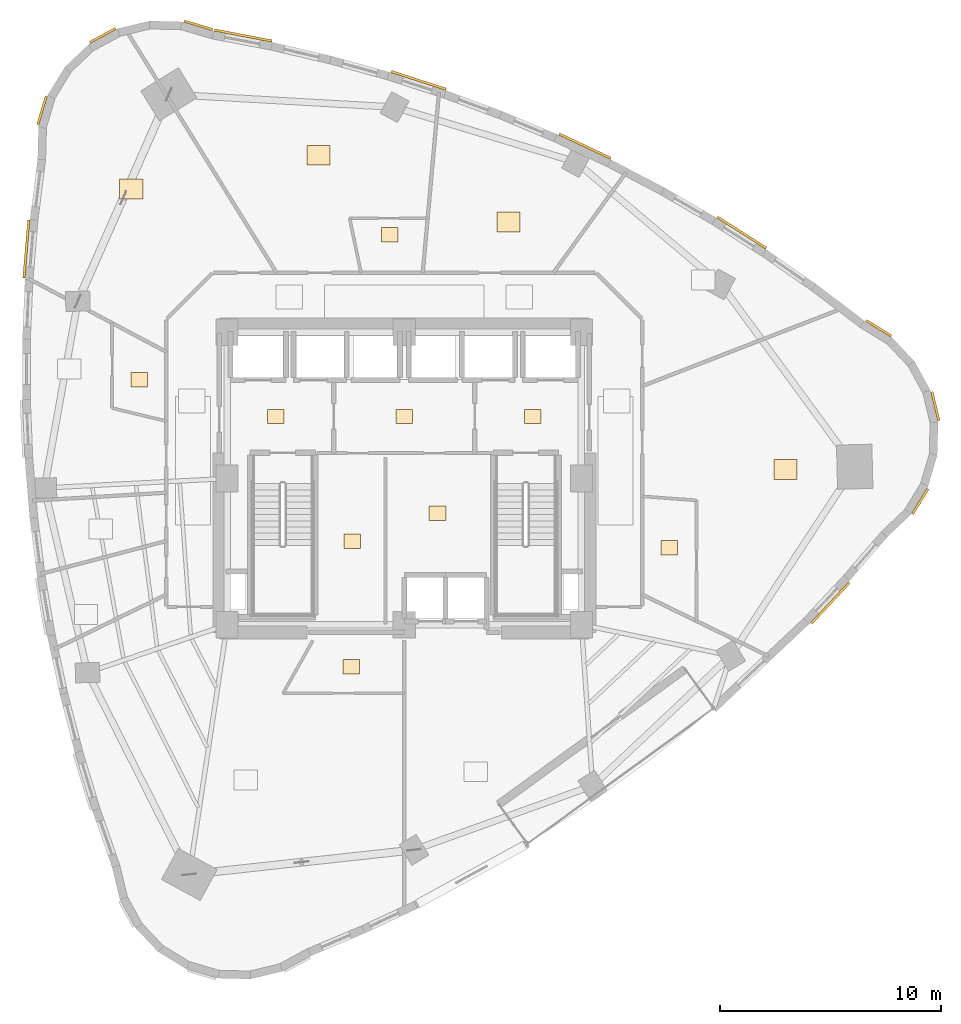
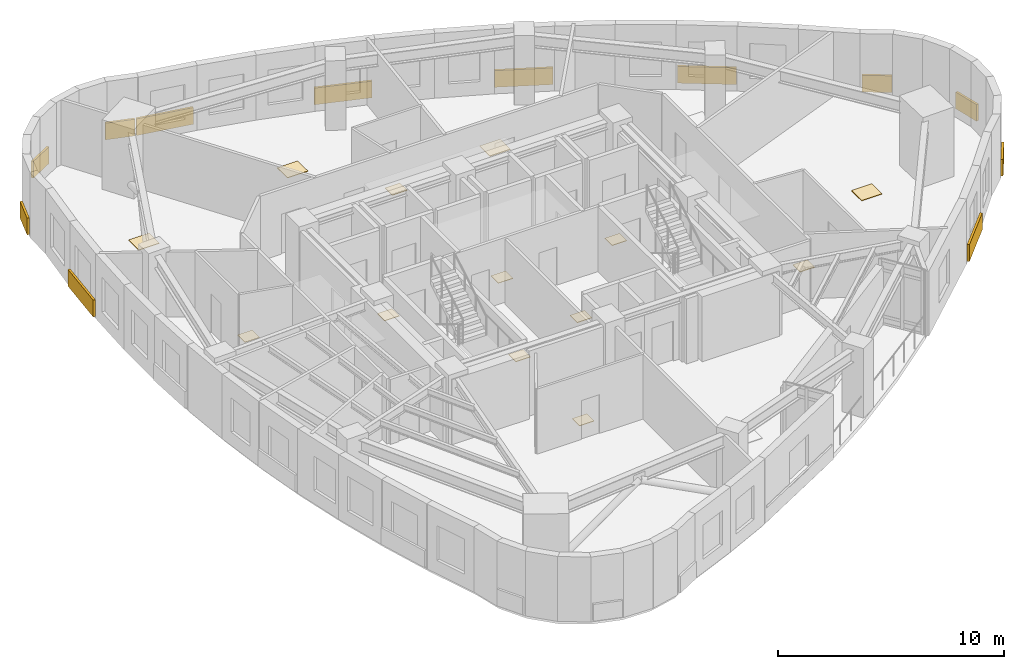
# One storey, part 12 of 12: 25 coverings.
"""IFC4 building model written with IfcOpenShell, lengths in metres."""

import ifcopenshell
import ifcopenshell.guid

model = None  # the IFC model being written
_history = None  # IfcOwnerHistory: only IFC2X3 demands one
_inside = {}  # id of a spatial element -> (the spatial element, [elements in it])
_under = {}  # id of a project, library or spatial element -> (it, [spatial elements below it])
_declared = {}  # id of a project -> (the project, [libraries it declares])
_typed = {}  # id of a type object -> (the type object, [elements of that type])
_made_of = {}  # id of a material, layer set ... -> (it, [elements and type objects made of it])


def new_model(schema):
    """Start an empty IFC model of exactly this schema.

    Asked for "IFC4X3", IfcOpenShell would pick the latest addendum, in which some entities
    have other attributes; the version numbers below select the first issue.
    IFC2X3 requires an IfcOwnerHistory on every rooted entity: one is made here for all.
    """
    global model, _history
    if schema == "IFC4X3":
        model = ifcopenshell.file(schema_version=(4, 3, 0, 0))
    else:
        model = ifcopenshell.file(schema=schema)
    _inside.clear()
    _under.clear()
    _declared.clear()
    _typed.clear()
    _made_of.clear()
    _history = None
    if model.schema == "IFC2X3":
        org = make("IfcOrganization", Name="unknown")
        user = make(
            "IfcPersonAndOrganization",
            ThePerson=make("IfcPerson", FamilyName="unknown"),
            TheOrganization=org,
        )
        app = make(
            "IfcApplication",
            ApplicationDeveloper=org,
            Version="unknown",
            ApplicationFullName="unknown",
            ApplicationIdentifier="unknown",
        )
        _history = make(
            "IfcOwnerHistory",
            OwningUser=user,
            OwningApplication=app,
            ChangeAction="ADDED",
            CreationDate=0,
        )
    return model


def make(cls, **values):
    """One entity of the class cls with the attributes given. An attribute that is None is left unset."""
    return model.create_entity(
        cls, **{name: value for name, value in values.items() if value is not None}
    )


def rooted(cls, **values):
    """An entity with a GlobalId (a new one), such as an element, a storey or a relation."""
    return make(cls, GlobalId=ifcopenshell.guid.new(), OwnerHistory=_history, **values)


def si_unit(unit_type, name, prefix=None):
    """IfcSIUnit, for example si_unit("LENGTHUNIT", "METRE", prefix="MILLI")."""
    return make("IfcSIUnit", UnitType=unit_type, Prefix=prefix, Name=name)


def assignment(units):
    """IfcUnitAssignment: the units of a project."""
    return None if units is None else make("IfcUnitAssignment", Units=units)


def point(xyz):
    """IfcCartesianPoint."""
    return None if xyz is None else make("IfcCartesianPoint", Coordinates=xyz)


def direction(xyz):
    """IfcDirection."""
    return None if xyz is None else make("IfcDirection", DirectionRatios=xyz)


def frame(location, z_axis=None, x_axis=None):
    """IfcAxis2Placement3D, a coordinate frame: its origin and axes. An axis left out is left unset."""
    return make(
        "IfcAxis2Placement3D",
        Location=point(location),
        Axis=direction(z_axis),
        RefDirection=direction(x_axis),
    )


def frame_2d(location, x_axis=None):
    """IfcAxis2Placement2D, a coordinate frame in the plane: its origin and x axis."""
    return make(
        "IfcAxis2Placement2D", Location=point(location), RefDirection=direction(x_axis)
    )


def origin():
    """The frame at (0, 0, 0) with its axes left unset."""
    return frame((0.0, 0.0, 0.0))


def origin_2d():
    """The frame at (0, 0) in the plane with its x axis left unset."""
    return frame_2d((0.0, 0.0))


def place(relative_to, where):
    """IfcLocalPlacement: puts the frame where relative to a parent placement (None: the world)."""
    return make(
        "IfcLocalPlacement", PlacementRelTo=relative_to, RelativePlacement=where
    )


def context(
    kind, dimensions, precision=None, world=None, true_north=None, identifier=None
):
    """IfcGeometricRepresentationContext, for example the 3D "Model" context."""
    return make(
        "IfcGeometricRepresentationContext",
        ContextIdentifier=identifier,
        ContextType=kind,
        CoordinateSpaceDimension=dimensions,
        Precision=precision,
        WorldCoordinateSystem=world,
        TrueNorth=true_north,
    )


def subcontext(parent, identifier, kind, view, scale=None):
    """IfcGeometricRepresentationSubContext, for example "Body" below "Model"."""
    return make(
        "IfcGeometricRepresentationSubContext",
        ContextIdentifier=identifier,
        ContextType=kind,
        ParentContext=parent,
        TargetScale=scale,
        TargetView=view,
    )


def project(units=None, contexts=None):
    """IfcProject with its units and contexts."""
    return rooted(
        "IfcProject",
        Name="project",
        RepresentationContexts=contexts,
        UnitsInContext=assignment(units),
    )


def spatial(cls, under=None, at=None, **own):
    """A site, building, storey or space (cls), placed at a placement, below another one or the project."""
    s = rooted(cls, ObjectPlacement=at, **own)
    if under is not None:
        _under.setdefault(under.id(), (under, []))[1].append(s)
    return s


def profile(cls, at=None, kind="AREA", **sizes):
    """A parametric profile (cls). Its sizes go by their IFC names, for example OverallWidth=200.0."""
    return make(cls, ProfileType=kind, Position=at, **sizes)


def rectangle(**sizes):
    """IfcRectangleProfileDef."""
    return profile("IfcRectangleProfileDef", **sizes)


def extrude(swept, where, along, depth):
    """IfcExtrudedAreaSolid: the profile swept, set in the frame where, extruded along a direction by depth."""
    return make(
        "IfcExtrudedAreaSolid",
        SweptArea=swept,
        Position=where,
        ExtrudedDirection=direction(along),
        Depth=depth,
    )


def shape(context_of_items, identifier, shape_type, items):
    """IfcShapeRepresentation: the items that make up one representation, for example the "Body"."""
    return make(
        "IfcShapeRepresentation",
        ContextOfItems=context_of_items,
        RepresentationIdentifier=identifier,
        RepresentationType=shape_type,
        Items=items,
    )


def material(Name=None, Category=None):
    """IfcMaterial."""
    return make("IfcMaterial", Name=Name, Category=Category)


def layer(
    of_material, thickness, ventilated=None, Name=None, Category=None, Priority=None
):
    """IfcMaterialLayer: one layer of a wall or slab, of a material (None: an air gap)."""
    return make(
        "IfcMaterialLayer",
        Material=of_material,
        LayerThickness=thickness,
        IsVentilated=ventilated,
        Name=Name,
        Category=Category,
        Priority=Priority,
    )


def layer_set(layers, Name=None):
    """IfcMaterialLayerSet."""
    return make("IfcMaterialLayerSet", MaterialLayers=layers, LayerSetName=Name)


def made_of(thing, what):
    """Note that an element or type object is made of a material, layer set ...; save() writes the relation."""
    if what is not None:
        _made_of.setdefault(what.id(), (what, []))[1].append(thing)
    return thing


def type_object(cls, material=None, **own):
    """A type object (cls), such as IfcWallType, which elements share."""
    return made_of(rooted(cls, **own), material)


def element(
    cls,
    number,
    at=None,
    inside=None,
    cuts=None,
    type_object=None,
    material=None,
    context=None,
    identifier="Body",
    shape_type=None,
    held_by="IfcProductDefinitionShape",
    body=None,
    shapes=None,
    **own,
):
    """One element of the class cls, such as IfcWall. Its Tag is "e" and its number.

    at: its placement. inside: the storey or other place that contains it. cuts: it is an
    opening in that element (IfcRelVoidsElement). A single representation is given by context,
    identifier, shape_type and body (its items); several are given by shapes. held_by: the class
    of the entity that holds the representations. save() writes the other relations.
    """
    e = rooted(cls, Tag="e%d" % number, ObjectPlacement=at, **own)
    if body is not None:
        shapes = [shape(context, identifier, shape_type, body)]
    if shapes is not None:
        e.Representation = make(held_by, Representations=shapes)
    if inside is not None:
        _inside.setdefault(inside.id(), (inside, []))[1].append(e)
    if cuts is not None:
        rooted(
            "IfcRelVoidsElement", RelatingBuildingElement=cuts, RelatedOpeningElement=e
        )
    if type_object is not None:
        _typed.setdefault(type_object.id(), (type_object, []))[1].append(e)
    return made_of(e, material)


def aggregate(whole, parts):
    """IfcRelAggregates: a whole, such as a stair, and the parts it consists of."""
    return rooted("IfcRelAggregates", RelatingObject=whole, RelatedObjects=parts)


def save(model, path):
    """Write the relations noted so far, then the file.

    IfcRelAggregates (storeys below a building ...), IfcRelContainedInSpatialStructure (elements
    in a storey), IfcRelDefinesByType, IfcRelAssociatesMaterial and IfcRelDeclares: one each for
    every whole, place, type object, material and project.
    """
    for whole, parts in _under.values():
        aggregate(whole, parts)
    for where, things in _inside.values():
        rooted(
            "IfcRelContainedInSpatialStructure",
            RelatedElements=things,
            RelatingStructure=where,
        )
    for kind, things in _typed.values():
        rooted("IfcRelDefinesByType", RelatedObjects=things, RelatingType=kind)
    for what, things in _made_of.values():
        rooted("IfcRelAssociatesMaterial", RelatedObjects=things, RelatingMaterial=what)
    for by, libraries in _declared.values():
        rooted("IfcRelDeclares", RelatingContext=by, RelatedDefinitions=libraries)
    model.write(path)


model = new_model("IFC4")

# Units and contexts
model_context = context("Model", 3, precision=1e-05, world=origin(), true_north=direction((0.0, 1.0)))
body_context = subcontext(model_context, "Body", "Model", "MODEL_VIEW")
ifc_project = project(units=[si_unit("LENGTHUNIT", "METRE"), si_unit("AREAUNIT", "SQUARE_METRE"), si_unit("VOLUMEUNIT", "CUBIC_METRE"), si_unit("PLANEANGLEUNIT", "RADIAN"), si_unit("MASSUNIT", "GRAM", prefix="KILO")], contexts=[model_context])

# Site, building, storey
site_placement = place(None, origin())
site = spatial("IfcSite", under=ifc_project, at=site_placement, CompositionType="ELEMENT")
building_placement = place(site_placement, origin())
building = spatial("IfcBuilding", under=site, at=building_placement, Name="Ndelora Gate Hotel", CompositionType="ELEMENT")
storey_placement = place(building_placement, frame((0.0, 0.0, 142.25)))
storey = spatial("IfcBuildingStorey", under=building, at=storey_placement, Name="L35", CompositionType="ELEMENT", Elevation=142.25)

# Coverings
ifc_material_1 = material(Name="Terracotta Fired Clay Brick Slip Cladding", Category="masonry")
ifc_layer_1 = layer(ifc_material_1, 0.110107421875)
ifc_layer_set_1 = layer_set([ifc_layer_1], Name="Terracotta Fired Clay Brick Slip Cladding")
covering_type_1 = type_object("IfcCoveringType", Name="COV-CLAD-BRK", PredefinedType="CLADDING", material=ifc_layer_set_1)
for number, where, z_axis, x_axis, name in (
    (1, (-9.29443359375, 20.468017578125, 0.10009765625), (0.0, 0.0, 1.0), (-0.958819734868, 0.284015344704, 0.0), "L35 Rounded-Corner Brick Cladding Band 1"),
    (2, (-13.622802734375, 20.012939453125, 0.10009765625), (0.0, 0.0, 1.0), (0.878817112662, 0.47715876026, 0.0), "L35 Rounded-Corner Brick Cladding Band 4"),
    (3, (-16.36181640625, 16.630615234375, 0.10009765625), (0.0, 0.0, 1.0), (0.284015344704, 0.958819734868, 0.0), "L35 Rounded-Corner Brick Cladding Band 7"),
):
    element("IfcCovering", number, at=place(storey_placement, frame(where, z_axis=z_axis, x_axis=x_axis)), inside=storey, type_object=covering_type_1, Name=name, PredefinedType="CLADDING", context=body_context, shape_type="SweptSolid", body=[
        extrude(rectangle(XDim=1.3359375, YDim=0.110107421875, at=origin_2d()), origin(), (0.0, 0.0, 1.0), 0.89990234375),
    ])
covering_1_placement = place(storey_placement, frame((-17.06982421875, 10.371826171875, 0.10009765625), z_axis=(0.0, 0.0, 1.0), x_axis=(0.084199594279, 0.996448909038, 0.0)))
element("IfcCovering", 4, at=covering_1_placement, inside=storey, type_object=covering_type_1, Name="L35 Rounded-Corner Brick Cladding Band 10", PredefinedType="CLADDING", context=body_context, shape_type="SweptSolid", body=[
    extrude(rectangle(XDim=2.6279296875, YDim=0.110107421875, at=origin_2d()), origin(), (0.0, 0.0, 1.0), 0.89990234375),
])
covering_2_placement = place(storey_placement, frame((19.242431640625, -5.626220703125, 0.10009765625), z_axis=(0.0, 0.0, 1.0), x_axis=(0.682381202461, 0.730996507877, 0.0)))
element("IfcCovering", 5, at=covering_2_placement, inside=storey, type_object=covering_type_1, Name="L35 Rounded-Corner Brick Cladding Band 37", PredefinedType="CLADDING", context=body_context, shape_type="SweptSolid", body=[
    extrude(rectangle(XDim=2.52001953125, YDim=0.110107421875, at=origin_2d()), origin(), (0.0, 0.0, 1.0), 0.89990234375),
])
for number, where, z_axis, x_axis, name in (
    (6, (23.30712890625, -1.031005859375, 0.10009765625), (0.0, 0.0, 1.0), (0.522498564716, 0.852640164354, 0.0), "L35 Rounded-Corner Brick Cladding Band 40"),
    (7, (23.988037109375, 3.267578125, 0.10009765625), (0.0, 0.0, 1.0), (-0.233445363856, 0.972369920398, 0.0), "L35 Rounded-Corner Brick Cladding Band 43"),
    (8, (21.4296875, 6.78857421875, 0.10009765625), (0.0, 0.0, 1.0), (-0.852640164354, 0.522498564716, 0.0), "L35 Rounded-Corner Brick Cladding Band 46"),
):
    element("IfcCovering", number, at=place(storey_placement, frame(where, z_axis=z_axis, x_axis=x_axis)), inside=storey, type_object=covering_type_1, Name=name, PredefinedType="CLADDING", context=body_context, shape_type="SweptSolid", body=[
        extrude(rectangle(XDim=1.3359375, YDim=0.110107421875, at=origin_2d()), origin(), (0.0, 0.0, 1.0), 0.89990234375),
    ])
covering_3_placement = place(storey_placement, frame((15.246826171875, 11.108154296875, 0.10009765625), z_axis=(0.0, 0.0, 1.0), x_axis=(-0.843766346142, 0.536710679153, 0.0)))
element("IfcCovering", 9, at=covering_3_placement, inside=storey, type_object=covering_type_1, Name="L35 Rounded-Corner Brick Cladding Band 49", PredefinedType="CLADDING", context=body_context, shape_type="SweptSolid", body=[
    extrude(rectangle(XDim=2.60791015625, YDim=0.110107421875, at=origin_2d()), origin(), (0.0, 0.0, 1.0), 0.89990234375),
])
covering_4_placement = place(storey_placement, frame((8.156982421875, 15.015380859375, 0.10009765625), z_axis=(0.0, 0.0, 1.0), x_axis=(-0.904678372333, 0.426095109843, 0.0)))
element("IfcCovering", 10, at=covering_4_placement, inside=storey, type_object=covering_type_1, Name="L35 Rounded-Corner Brick Cladding Band 52", PredefinedType="CLADDING", context=body_context, shape_type="SweptSolid", body=[
    extrude(rectangle(XDim=2.580078125, YDim=0.110107421875, at=origin_2d()), origin(), (0.0, 0.0, 1.0), 0.89990234375),
])
covering_5_placement = place(storey_placement, frame((0.6484375, 17.983154296875, 0.10009765625), z_axis=(0.0, 0.0, 1.0), x_axis=(-0.951433341896, 0.30785482931, 0.0)))
element("IfcCovering", 11, at=covering_5_placement, inside=storey, type_object=covering_type_1, Name="L35 Rounded-Corner Brick Cladding Band 55", PredefinedType="CLADDING", context=body_context, shape_type="SweptSolid", body=[
    extrude(rectangle(XDim=2.593994140625, YDim=0.110107421875, at=origin_2d()), origin(), (0.0, 0.0, 1.0), 0.89990234375),
])
covering_6_placement = place(storey_placement, frame((-7.27734375, 20.0107421875, 0.10009765625), z_axis=(0.0, 0.0, 1.0), x_axis=(-0.982156194526, 0.188067034735, 0.0)))
element("IfcCovering", 12, at=covering_6_placement, inside=storey, type_object=covering_type_1, Name="L35 Rounded-Corner Brick Cladding Band 58", PredefinedType="CLADDING", context=body_context, shape_type="SweptSolid", body=[
    extrude(rectangle(XDim=2.65087890625, YDim=0.110107421875, at=origin_2d()), origin(), (0.0, 0.0, 1.0), 0.89990234375),
])
ifc_material_2 = material(Name="Engineered Highland Oak Parquet", Category="wood")
ifc_layer_2 = layer(ifc_material_2, 0.030029296875)
ifc_layer_set_2 = layer_set([ifc_layer_2], Name="Engineered Highland Oak Parquet")
covering_type_2 = type_object("IfcCoveringType", Name="COV-FLR-PARQ", PredefinedType="FLOORING", material=ifc_layer_set_2)
for number, where, z_axis, x_axis, name in (
    (13, (17.219482421875, 0.402587890625, 0.0), (0.0, 0.0, 1.0), (1.0, 0.0, 0.0), "L35 Diplomatic Reception Suite 3802 Oak Parquet Flooring"),
    (14, (4.7119140625, 11.581298828125, 0.0), (0.0, 0.0, 1.0), (1.0, 0.0, 0.0), "L35 Wellness Yoga Studio Oak Parquet Flooring"),
    (15, (-3.87158203125, 14.601806640625, 0.0), (0.0, 0.0, 1.0), (1.0, 0.0, 0.0), "L35 South Horizon Suite 3803 Oak Parquet Flooring"),
    (16, (-12.3349609375, 13.0712890625, 0.0), (0.0, 0.0, 1.0), (1.0, 0.0, 0.0), "L35 Boutique Travel Shop Oak Parquet Flooring"),
):
    element("IfcCovering", number, at=place(storey_placement, frame(where, z_axis=z_axis, x_axis=x_axis)), inside=storey, type_object=covering_type_2, Name=name, PredefinedType="FLOORING", context=body_context, shape_type="SweptSolid", body=[
        extrude(rectangle(XDim=1.050048828125, YDim=0.89990234375, at=origin_2d()), origin(), (0.0, 0.0, 1.0), 0.030029296875),
    ])
ifc_material_3 = material(Name="Non-Slip Porcelain Wet-Room Tile", Category="ceramic")
ifc_layer_3 = layer(ifc_material_3, 0.02490234375)
ifc_layer_set_3 = layer_set([ifc_layer_3], Name="Non-Slip Porcelain Wet-Room Tile")
covering_type_3 = type_object("IfcCoveringType", Name="COV-FLR-TILE", PredefinedType="FLOORING", material=ifc_layer_set_3)
for number, where, z_axis, x_axis, name in (
    (17, (-5.800048828125, 2.800048828125, 0.0), (0.0, 0.0, 1.0), (1.0, 0.0, 0.0), "L35 Firefighting Lift Lobby West Porcelain Tile Flooring"),
    (18, (5.800048828125, 2.800048828125, 0.0), (0.0, 0.0, 1.0), (1.0, 0.0, 0.0), "L35 Firefighting Lift Lobby East Porcelain Tile Flooring"),
    (19, (0.0, 2.800048828125, 0.0), (0.0, 0.0, 1.0), (1.0, 0.0, 0.0), "L35 Central Passenger Lift Lobby Porcelain Tile Flooring"),
    (20, (-2.35009765625, -2.824951171875, 0.0), (0.0, 0.0, 1.0), (1.0, 0.0, 0.0), "L35 Core Electrical Switchroom Porcelain Tile Flooring"),
    (21, (1.5, -1.574951171875, 0.0), (0.0, 0.0, 1.0), (1.0, 0.0, 0.0), "L35 Central Linen Equipment Store Porcelain Tile Flooring"),
    (22, (-2.3984375, -8.510009765625, 0.0), (0.0, 0.0, 1.0), (1.0, 0.0, 0.0), "L35 En-suite Bathroom 3801 Porcelain Tile Flooring"),
    (23, (11.97509765625, -3.121337890625, 0.0), (0.0, 0.0, 1.0), (1.0, 0.0, 0.0), "L35 En-suite Bathroom 3802 Porcelain Tile Flooring"),
    (24, (-0.66162109375, 11.004638671875, 0.0), (0.0, 0.0, 1.0), (1.0, 0.0, 0.0), "L35 En-suite Bathroom 3803 Porcelain Tile Flooring"),
    (25, (-11.97509765625, 4.45458984375, 0.0), (0.0, 0.0, 1.0), (1.0, 0.0, 0.0), "L35 En-suite Bathroom 3804 Porcelain Tile Flooring"),
):
    element("IfcCovering", number, at=place(storey_placement, frame(where, z_axis=z_axis, x_axis=x_axis)), inside=storey, type_object=covering_type_3, Name=name, PredefinedType="FLOORING", context=body_context, shape_type="SweptSolid", body=[
        extrude(rectangle(XDim=0.75, YDim=0.64990234375, at=origin_2d()), origin(), (0.0, 0.0, 1.0), 0.02490234375),
    ])

save(model, "model.ifc")
